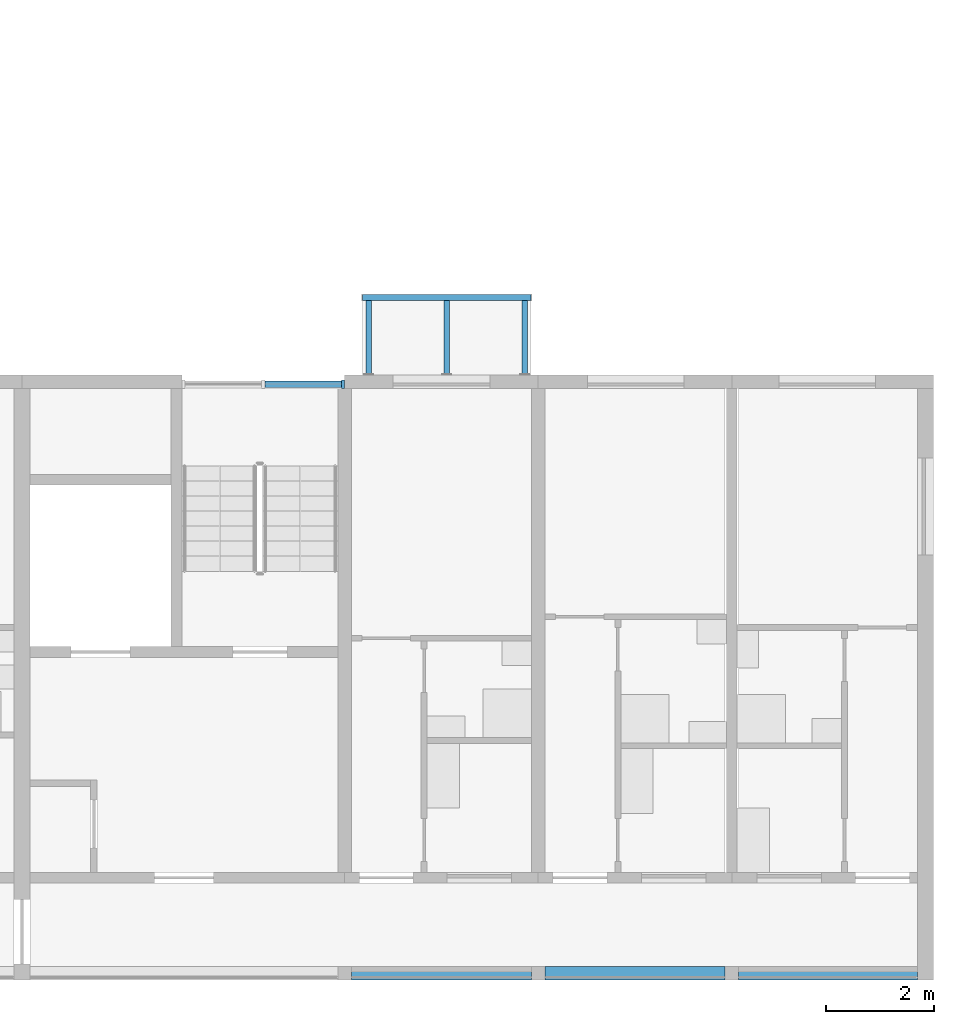
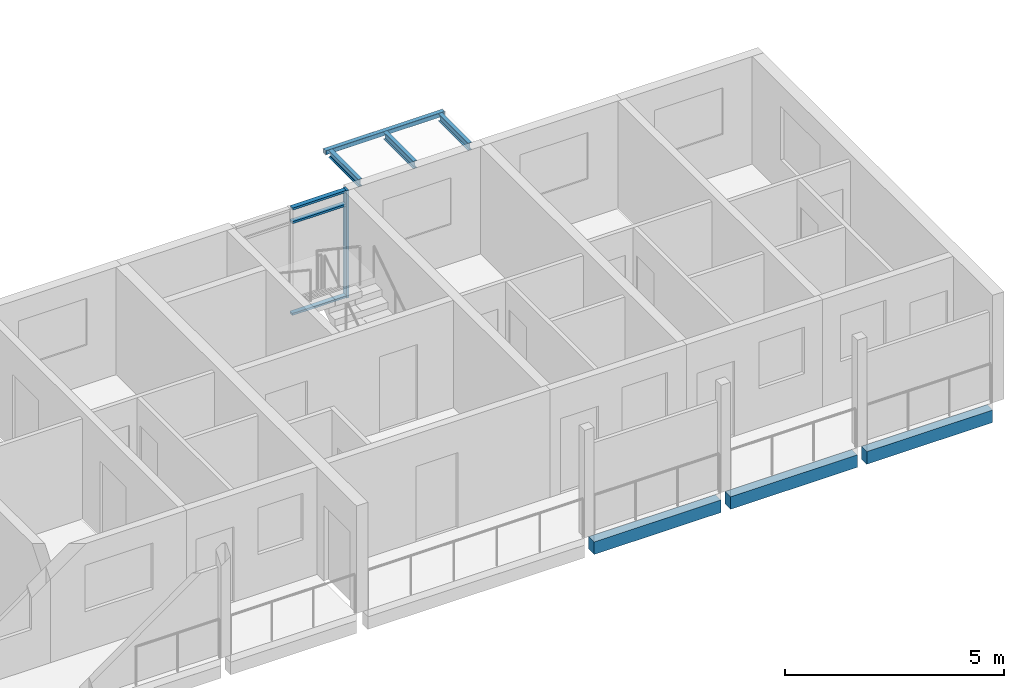
# One storey, part 16 of 99: 7 beams, 4 members, 1 element without a shape of its own.
"""IFC4 building model written with IfcOpenShell, lengths in metres."""

from ifc_helpers import new_model, si_unit, direction, frame, origin, origin_2d, place, context, subcontext, project, spatial, rectangle, hollow_rectangle, i_section, extrude, material, material_profile, profile_set, type_object, element, aggregate, save


model = new_model("IFC4")

# Units and contexts
model_context = context("Model", 3, precision=1e-05, world=origin(), true_north=direction((0.0, 1.0)))
body_context = subcontext(model_context, "Body", "Model", "MODEL_VIEW")
ifc_project = project(units=[si_unit("LENGTHUNIT", "METRE"), si_unit("AREAUNIT", "SQUARE_METRE"), si_unit("VOLUMEUNIT", "CUBIC_METRE"), si_unit("PLANEANGLEUNIT", "RADIAN"), si_unit("MASSUNIT", "GRAM", prefix="KILO")], contexts=[model_context])

# Site, building, storey
site_placement = place(None, origin())
site = spatial("IfcSite", under=ifc_project, at=site_placement, CompositionType="ELEMENT")
building_placement = place(site_placement, origin())
building = spatial("IfcBuilding", under=site, at=building_placement, Name="Ridgestep Commons", CompositionType="ELEMENT")
storey_placement = place(building_placement, frame((0.0, 0.0, 15.0)))
storey = spatial("IfcBuildingStorey", under=building, at=storey_placement, Name="L05", CompositionType="ELEMENT", Elevation=15.0)

# Beams
ifc_material_1 = material(Name="Precast concrete C40/50", Category="concrete")
ifc_material_profile_1 = material_profile(ifc_material_1, rectangle(XDim=0.25, YDim=0.35009765625, at=origin_2d()), Name="PC 250x350")
ifc_profile_set_1 = profile_set([ifc_material_profile_1], Name="Precast concrete C40/50")
beam_type_1 = type_object("IfcBeamType", Name="Loggia edge beam 250 x 350", PredefinedType="SPANDREL", material=ifc_profile_set_1)
beam_1_placement = place(storey_placement, frame((236.925048828125, 11.875, -0.375), z_axis=(1.0, 0.0, 0.0), x_axis=(0.0, 1.0, 0.0)))
element("IfcBeam", 1, at=beam_1_placement, inside=storey, type_object=beam_type_1, Name="Loggia edge beam D6T3 L05", PredefinedType="SPANDREL", context=body_context, shape_type="SweptSolid", body=[
    extrude(rectangle(XDim=0.25, YDim=0.35009765625, at=origin_2d()), origin(), (0.0, 0.0, 1.0), 3.349853515625),
])
beam_2_placement = place(storey_placement, frame((240.52490234375, 11.875, -0.375), z_axis=(1.0, 0.0, 0.0), x_axis=(0.0, 1.0, 0.0)))
element("IfcBeam", 2, at=beam_2_placement, inside=storey, type_object=beam_type_1, Name="Loggia edge beam D6T2 L05", PredefinedType="SPANDREL", context=body_context, shape_type="SweptSolid", body=[
    extrude(rectangle(XDim=0.25, YDim=0.35009765625, at=origin_2d()), origin(), (0.0, 0.0, 1.0), 3.35009765625),
])
beam_3_placement = place(storey_placement, frame((244.125, 11.875, -0.375), z_axis=(1.0, 0.0, 0.0), x_axis=(0.0, 1.0, 0.0)))
element("IfcBeam", 3, at=beam_3_placement, inside=storey, type_object=beam_type_1, Name="Loggia edge beam D6T1 L05", PredefinedType="SPANDREL", context=body_context, shape_type="SweptSolid", body=[
    extrude(rectangle(XDim=0.25, YDim=0.35009765625, at=origin_2d()), origin(), (0.0, 0.0, 1.0), 3.324951171875),
])

# Curtain wall, members
ifc_material_2 = material(Name="Aluminium 6063-T6 and glass", Category="aluminium")
curtain_wall_type = type_object("IfcCurtainWallType", Name="Curtain wall stair strip", PredefinedType="NOTDEFINED", material=ifc_material_2)
curtain_wall_placement = place(storey_placement, origin())
curtain_wall = element("IfcCurtainWall", 4, at=curtain_wall_placement, inside=storey, type_object=curtain_wall_type, Name="Curtain wall D6C level 05", PredefinedType="NOTDEFINED")
ifc_material_3 = material(Name="Aluminium 6063-T6", Category="aluminium")
ifc_material_profile_2 = material_profile(ifc_material_3, rectangle(XDim=0.159912109375, YDim=0.06005859375, at=origin_2d()), Name="Mullion 60 x 160")
ifc_profile_set_2 = profile_set([ifc_material_profile_2], Name="Aluminium 6063-T6")
member_type_1 = type_object("IfcMemberType", Name="Mullion 60 x 160", PredefinedType="MULLION", material=ifc_profile_set_2)
member_1_placement = place(storey_placement, frame((236.77001953125, 22.830078125, 0.0), z_axis=(0.0, 0.0, 1.0), x_axis=(0.0, 1.0, 0.0)))
member_1 = element("IfcMember", 5, at=member_1_placement, type_object=member_type_1, Name="CW1 mullion 3", PredefinedType="MULLION", context=body_context, shape_type="SweptSolid", body=[
    extrude(rectangle(XDim=0.159912109375, YDim=0.06005859375, at=origin_2d()), origin(), (0.0, 0.0, 1.0), 3.0),
])
ifc_material_4 = material(Name="Aluminium 6063-T6", Category="aluminium")
ifc_material_profile_3 = material_profile(ifc_material_4, rectangle(XDim=0.1201171875, YDim=0.06005859375, at=origin_2d()), Name="Transom 60 x 120")
ifc_profile_set_3 = profile_set([ifc_material_profile_3], Name="Aluminium 6063-T6")
member_type_2 = type_object("IfcMemberType", Name="Transom 60 x 120", PredefinedType="USERDEFINED", material=ifc_profile_set_3)
member_2_placement = place(storey_placement, frame((235.3173828125, 22.830078125, 0.030029296875), z_axis=(1.0, 0.0, 0.0), x_axis=(0.0, 1.0, 0.0)))
member_2 = element("IfcMember", 6, at=member_2_placement, type_object=member_type_2, Name="CW1 transom 2.1", ObjectType="TRANSOM", PredefinedType="USERDEFINED", context=body_context, shape_type="SweptSolid", body=[
    extrude(rectangle(XDim=0.1201171875, YDim=0.06005859375, at=origin_2d()), origin(), (0.0, 0.0, 1.0), 1.422607421875),
])
member_3_placement = place(storey_placement, frame((235.3173828125, 22.830078125, 2.590087890625), z_axis=(1.0, 0.0, 0.0), x_axis=(0.0, 1.0, 0.0)))
member_3 = element("IfcMember", 7, at=member_3_placement, type_object=member_type_2, Name="CW1 transom 2.2", ObjectType="TRANSOM", PredefinedType="USERDEFINED", context=body_context, shape_type="SweptSolid", body=[
    extrude(rectangle(XDim=0.1201171875, YDim=0.06005859375, at=origin_2d()), origin(), (0.0, 0.0, 1.0), 1.422607421875),
])
member_4_placement = place(storey_placement, frame((235.3173828125, 22.830078125, 2.969970703125), z_axis=(1.0, 0.0, 0.0), x_axis=(0.0, 1.0, 0.0)))
member_4 = element("IfcMember", 8, at=member_4_placement, type_object=member_type_2, Name="CW1 transom 2.3", ObjectType="TRANSOM", PredefinedType="USERDEFINED", context=body_context, shape_type="SweptSolid", body=[
    extrude(rectangle(XDim=0.1201171875, YDim=0.06005859375, at=origin_2d()), origin(), (0.0, 0.0, 1.0), 1.422607421875),
])
aggregate(curtain_wall, [member_1, member_2, member_3, member_4])

# Beams
ifc_material_5 = material(Name="Weathering steel S355J2W", Category="steel")
ifc_material_profile_4 = material_profile(ifc_material_5, i_section(OverallWidth=0.101806640625, OverallDepth=0.203125, WebThickness=0.00537109375, FlangeThickness=0.00927734375, FilletRadius=0.007568359375, at=origin_2d()), Name="UB 203x102x23")
ifc_profile_set_4 = profile_set([ifc_material_profile_4], Name="Weathering steel S355J2W")
beam_type_2 = type_object("IfcBeamType", Name="Tray arm UB 203x102x23", PredefinedType="BEAM", material=ifc_profile_set_4)
for number, where, z_axis, x_axis, name in (
    (9, (237.25, 23.014892578125, 2.888427734375), (0.0, 1.0, 0.0), (-1.0, 0.0, 0.0), "Tray arm D6T3-06.1"),
    (10, (238.699951171875, 23.014892578125, 2.888427734375), (0.0, 1.0, 0.0), (-1.0, 0.0, 0.0), "Tray arm D6T3-06.2"),
    (11, (240.14990234375, 23.014892578125, 2.888427734375), (0.0, 1.0, 0.0), (-1.0, 0.0, 0.0), "Tray arm D6T3-06.3"),
):
    element("IfcBeam", number, at=place(storey_placement, frame(where, z_axis=z_axis, x_axis=x_axis)), inside=storey, type_object=beam_type_2, Name=name, PredefinedType="BEAM", context=body_context, shape_type="SweptSolid", body=[
        extrude(i_section(OverallWidth=0.101806640625, OverallDepth=0.203125, WebThickness=0.00537109375, FlangeThickness=0.00927734375, FilletRadius=0.007568359375, at=origin_2d()), origin(), (0.0, 0.0, 1.0), 1.364990234375),
    ])
ifc_material_6 = material(Name="Weathering steel S355J2W", Category="steel")
ifc_material_profile_5 = material_profile(ifc_material_6, hollow_rectangle(XDim=0.1201171875, YDim=0.1201171875, WallThickness=0.00634765625, InnerFilletRadius=0.00634765625, OuterFilletRadius=0.009521484375, at=origin_2d()), Name="SHS 120x120x6.3")
ifc_profile_set_5 = profile_set([ifc_material_profile_5], Name="Weathering steel S355J2W")
beam_type_3 = type_object("IfcBeamType", Name="Tray edge member SHS 120x120x6.3", PredefinedType="BEAM", material=ifc_profile_set_5)
beam_4_placement = place(storey_placement, frame((237.1298828125, 24.43994140625, 2.929931640625), z_axis=(1.0, 0.0, 0.0), x_axis=(0.0, 0.0, 1.0)))
element("IfcBeam", 12, at=beam_4_placement, inside=storey, type_object=beam_type_3, Name="Tray edge member D6T3-06", PredefinedType="BEAM", context=body_context, shape_type="SweptSolid", body=[
    extrude(hollow_rectangle(XDim=0.1201171875, YDim=0.1201171875, WallThickness=0.00634765625, InnerFilletRadius=0.00634765625, OuterFilletRadius=0.009521484375, at=origin_2d()), origin(), (0.0, 0.0, 1.0), 3.14013671875),
])

save(model, "model.ifc")
